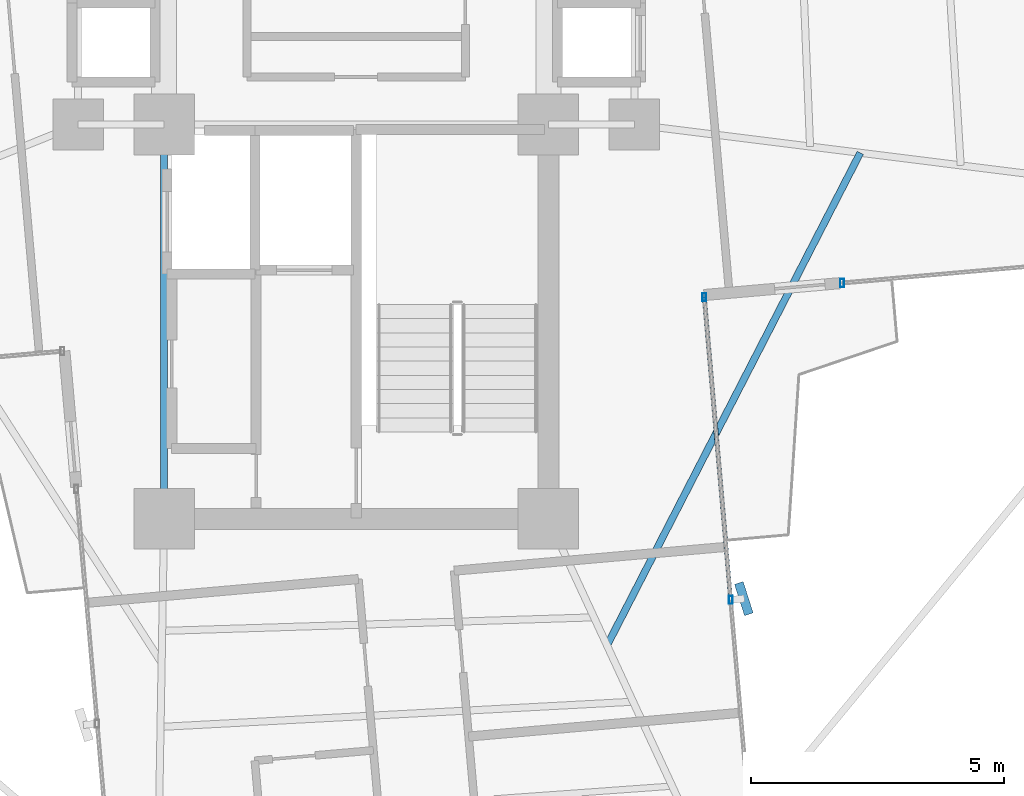
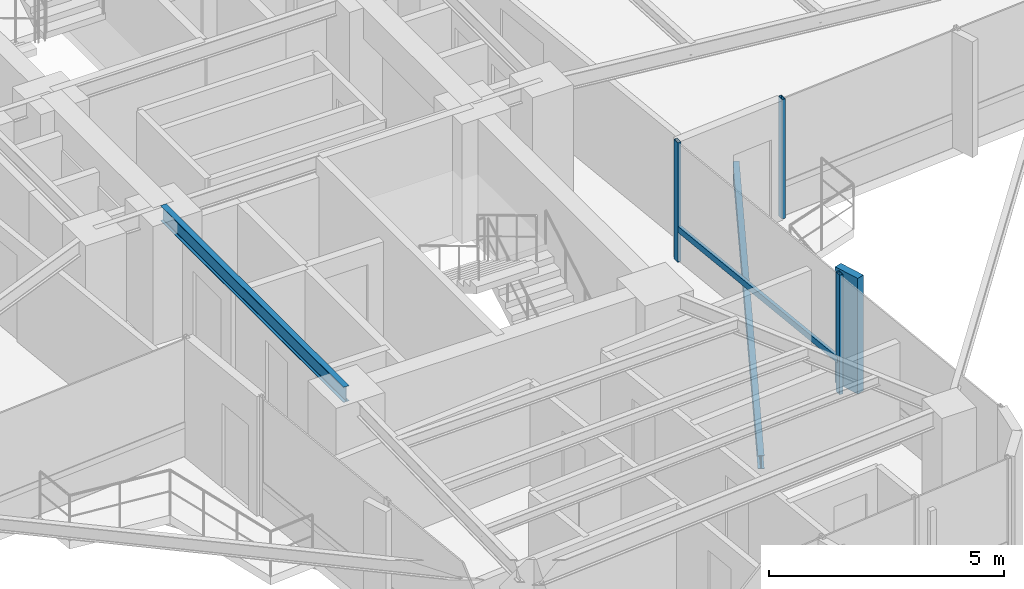
# One storey, part 7 of 24: 5 members, 2 beams, 2 elements without a shape of their own.
"""IFC4 building model written with IfcOpenShell, lengths in metres."""

from ifc_helpers import new_model, si_unit, direction, frame, origin, origin_2d, place, context, subcontext, project, spatial, rectangle, hollow_rectangle, i_section, extrude, source, transform, mapped, material, material_profile, profile_set, type_object, element, aggregate, save


model = new_model("IFC4")

# Units and contexts
model_context = context("Model", 3, precision=1e-05, world=origin(), true_north=direction((0.0, 1.0)))
body_context = subcontext(model_context, "Body", "Model", "MODEL_VIEW")
ifc_project = project(units=[si_unit("LENGTHUNIT", "METRE"), si_unit("AREAUNIT", "SQUARE_METRE"), si_unit("VOLUMEUNIT", "CUBIC_METRE"), si_unit("PLANEANGLEUNIT", "RADIAN"), si_unit("MASSUNIT", "GRAM", prefix="KILO")], contexts=[model_context])

# Site, building, storey
site_placement = place(None, origin())
site = spatial("IfcSite", under=ifc_project, at=site_placement, CompositionType="ELEMENT")
building_placement = place(site_placement, origin())
building = spatial("IfcBuilding", under=site, at=building_placement, Name="Sahyath Konkavel Grand Hotel", CompositionType="ELEMENT")
storey_placement = place(building_placement, frame((0.0, 0.0, 160.64990234375)))
storey = spatial("IfcBuildingStorey", under=building, at=storey_placement, Name="L44", CompositionType="ELEMENT", Elevation=160.64990234375)

# Beam
ifc_material_1 = material(Name="Steel E350", Category="steel")
ifc_material_profile_1 = material_profile(ifc_material_1, i_section(OverallWidth=0.139892578125, OverallDepth=0.39990234375, WebThickness=0.0087890625, FlangeThickness=0.01611328125, FilletRadius=0.013916015625, at=origin_2d()), Name="ISMB 400")
ifc_profile_set_1 = profile_set([ifc_material_profile_1], Name="Steel E350")
beam_type_1 = type_object("IfcBeamType", Name="BM-ISMB400", PredefinedType="BEAM", material=ifc_profile_set_1)
shared_shape_1 = source(origin(), body_context, "Body", "SweptSolid", [
    extrude(i_section(OverallWidth=0.139892578125, OverallDepth=0.39990234375, WebThickness=0.0087890625, FlangeThickness=0.01611328125, FilletRadius=0.013916015625, at=origin_2d()), origin(), (0.0, 0.0, 1.0), 7.800048828125),
])
beam_1_placement = place(storey_placement, frame((-3.800048828125, -10.199951171875, 2.91015625), z_axis=(0.0, 1.0, 0.0), x_axis=(-1.0, 0.0, 0.0)))
element("IfcBeam", 1, at=beam_1_placement, inside=storey, type_object=beam_type_1, Name="str:bm:L44:SC-W", PredefinedType="BEAM", context=body_context, shape_type="MappedRepresentation", body=[
    mapped(shared_shape_1, transform((0.0, 0.0, 0.0), scale=1.0)),
])

# Curtain wall, member
ifc_material_2 = material(Name="Anodised Bronze Aluminium & Low-E Glazing", Category="aluminium")
curtain_wall_type = type_object("IfcCurtainWallType", Name="CW-ZONE3", PredefinedType="NOTDEFINED", material=ifc_material_2)
curtain_wall_1_placement = place(storey_placement, origin())
curtain_wall_1 = element("IfcCurtainWall", 2, at=curtain_wall_1_placement, inside=storey, type_object=curtain_wall_type, Name="L44 Unitised Curtain Wall F31", PredefinedType="NOTDEFINED")
ifc_material_3 = material(Name="Warm Buff Sandstone Cladding on Concrete C50/60", Category="masonry")
ifc_material_profile_2 = material_profile(ifc_material_3, rectangle(XDim=0.179931640625, YDim=0.64990234375, at=origin_2d()), Name="FIN 180x650")
ifc_profile_set_2 = profile_set([ifc_material_profile_2], Name="Warm Buff Sandstone Cladding on Concrete C50/60")
member_type_1 = type_object("IfcMemberType", Name="FIN-SANDSTONE-650", PredefinedType="MULLION", material=ifc_profile_set_2)
shared_shape_2 = source(origin(), body_context, "Body", "SweptSolid", [
    extrude(rectangle(XDim=0.179931640625, YDim=0.64990234375, at=origin_2d()), origin(), (0.0, 0.0, 1.0), 3.010009765625),
])
member_1_placement = place(storey_placement, frame((7.66552734375, -11.776611328125, 0.050048828125), z_axis=(0.0, 0.0, 1.0), x_axis=(0.952502159334, 0.304531831612, 0.0)))
member_1 = element("IfcMember", 3, at=member_1_placement, type_object=member_type_1, Name="L44 Sandstone Vertical Solar Fin FIN F31-1", PredefinedType="MULLION", context=body_context, shape_type="MappedRepresentation", body=[
    mapped(shared_shape_2, transform((0.0, 0.0, 0.0), scale=1.0)),
])

curtain_wall_2_placement = place(storey_placement, origin())
curtain_wall_2 = element("IfcCurtainWall", 4, at=curtain_wall_2_placement, inside=storey, type_object=curtain_wall_type, Name="L44 Unitised Curtain Wall F0", PredefinedType="NOTDEFINED")
ifc_material_4 = material(Name="Anodised Bronze Aluminium", Category="aluminium")
ifc_material_profile_3 = material_profile(ifc_material_4, hollow_rectangle(XDim=0.080078125, YDim=0.159912109375, WallThickness=0.006103515625, at=origin_2d()), Name="RHS 160x80x6")
ifc_profile_set_3 = profile_set([ifc_material_profile_3], Name="Anodised Bronze Aluminium")
member_type_2 = type_object("IfcMemberType", Name="CW-MUL-160", PredefinedType="MULLION", material=ifc_profile_set_3)
shared_shape_3 = source(origin(), body_context, "Body", "SweptSolid", [
    extrude(hollow_rectangle(XDim=0.080078125, YDim=0.159912109375, WallThickness=0.006103515625, at=origin_2d()), origin(), (0.0, 0.0, 1.0), 3.110107421875),
])
member_2_placement = place(storey_placement, frame((9.60888671875, -5.53369140625, 0.0), z_axis=(0.0, 0.0, 1.0), x_axis=(1.0, 0.0, 0.0)))
member_2 = element("IfcMember", 5, at=member_2_placement, type_object=member_type_2, Name="L44 Curtain Wall Mullion F0-0", PredefinedType="MULLION", context=body_context, shape_type="MappedRepresentation", body=[
    mapped(shared_shape_3, transform((0.0, 0.0, 0.0), scale=1.0)),
])
aggregate(curtain_wall_2, [member_2])

# Member
member_3_placement = place(storey_placement, frame((7.406494140625, -11.79931640625, 0.0), z_axis=(0.0, 0.0, 1.0), x_axis=(1.0, 0.0, 0.0)))
member_3 = element("IfcMember", 6, at=member_3_placement, type_object=member_type_2, Name="L44 Curtain Wall Mullion F31-1", PredefinedType="MULLION", context=body_context, shape_type="MappedRepresentation", body=[
    mapped(shared_shape_3, transform((0.0, 0.0, 0.0), scale=1.0)),
])

member_4_placement = place(storey_placement, frame((6.8828125, -5.812255859375, 0.0), z_axis=(0.0, 0.0, 1.0), x_axis=(1.0, 0.0, 0.0)))
member_4 = element("IfcMember", 7, at=member_4_placement, type_object=member_type_2, Name="L44 Curtain Wall Mullion F31-2", PredefinedType="MULLION", context=body_context, shape_type="MappedRepresentation", body=[
    mapped(shared_shape_3, transform((0.0, 0.0, 0.0), scale=1.0)),
])

ifc_material_profile_4 = material_profile(ifc_material_4, hollow_rectangle(XDim=0.080078125, YDim=0.159912109375, WallThickness=0.006103515625, at=origin_2d()), Name="RHS 160x80x6")
ifc_profile_set_4 = profile_set([ifc_material_profile_4], Name="Anodised Bronze Aluminium")
member_type_3 = type_object("IfcMemberType", Name="CW-TRN-160", PredefinedType="USERDEFINED", material=ifc_profile_set_4)
shared_shape_4 = source(origin(), body_context, "Body", "SweptSolid", [
    extrude(hollow_rectangle(XDim=0.080078125, YDim=0.159912109375, WallThickness=0.006103515625, at=origin_2d()), origin(), (0.0, 0.0, 1.0), 6.010009765625),
])
member_5_placement = place(storey_placement, frame((7.406494140625, -11.79931640625, 0.85009765625), z_axis=(-0.087136210597, 0.996196406741, 0.0), x_axis=(-0.996196406741, -0.087136210597, 0.0)))
member_5 = element("IfcMember", 8, at=member_5_placement, type_object=member_type_3, Name="L44 Curtain Wall Transom F31-1-spandrel", ObjectType="TRANSOM", PredefinedType="USERDEFINED", context=body_context, shape_type="MappedRepresentation", body=[
    mapped(shared_shape_4, transform((0.0, 0.0, 0.0), scale=1.0)),
])

aggregate(curtain_wall_1, [member_3, member_1, member_4, member_5])

# Beam
ifc_material_profile_5 = material_profile(ifc_material_1, i_section(OverallWidth=0.139892578125, OverallDepth=0.35009765625, WebThickness=0.008056640625, FlangeThickness=0.01416015625, FilletRadius=0.013916015625, at=origin_2d()), Name="ISMB 350")
ifc_profile_set_5 = profile_set([ifc_material_profile_5], Name="Steel E350")
beam_type_2 = type_object("IfcBeamType", Name="BM-BALC-CANT", PredefinedType="BEAM", material=ifc_profile_set_5)
shared_shape_5 = source(origin(), body_context, "Body", "SweptSolid", [
    extrude(i_section(OverallWidth=0.139892578125, OverallDepth=0.35009765625, WebThickness=0.008056640625, FlangeThickness=0.01416015625, FilletRadius=0.013916015625, at=origin_2d()), origin(), (0.0, 0.0, 1.0), 10.95556640625),
])
beam_2_placement = place(storey_placement, frame((4.959716796875, -12.703125, -0.414794921875), z_axis=(0.457186878355, 0.889370652912, 0.0), x_axis=(-0.889370652912, 0.457186878355, 0.0)))
element("IfcBeam", 9, at=beam_2_placement, inside=storey, type_object=beam_type_2, Name="L44 Balcony Cantilever Support Beam SE", PredefinedType="BEAM", context=body_context, shape_type="MappedRepresentation", body=[
    mapped(shared_shape_5, transform((0.0, 0.0, 0.0), scale=1.0)),
])

save(model, "model.ifc")
